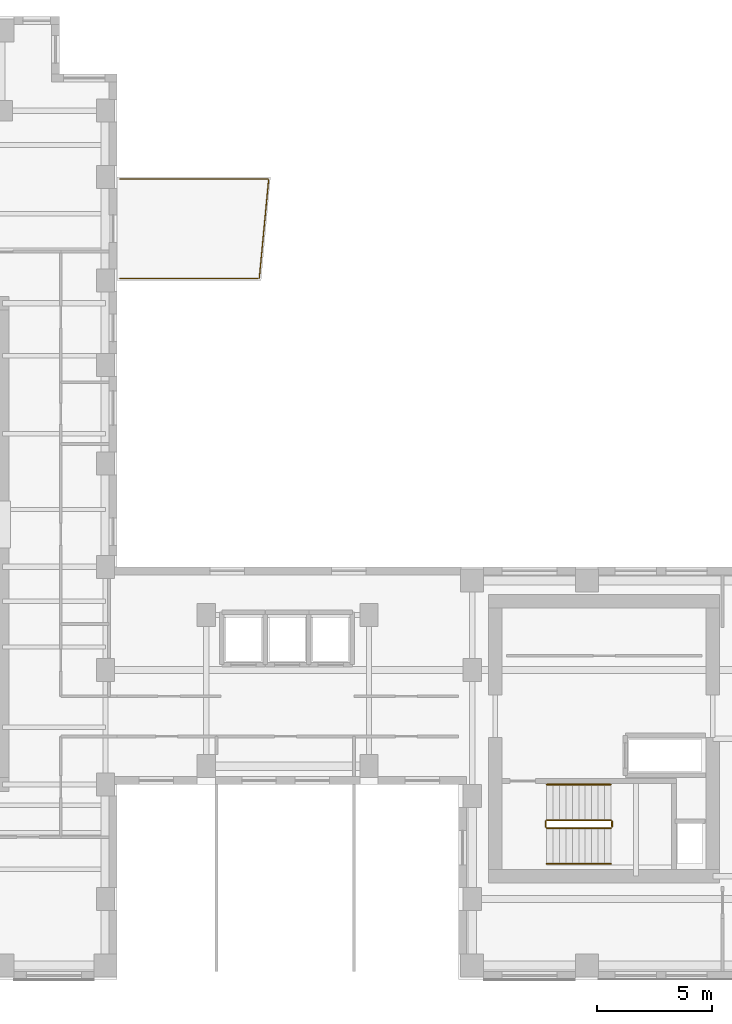
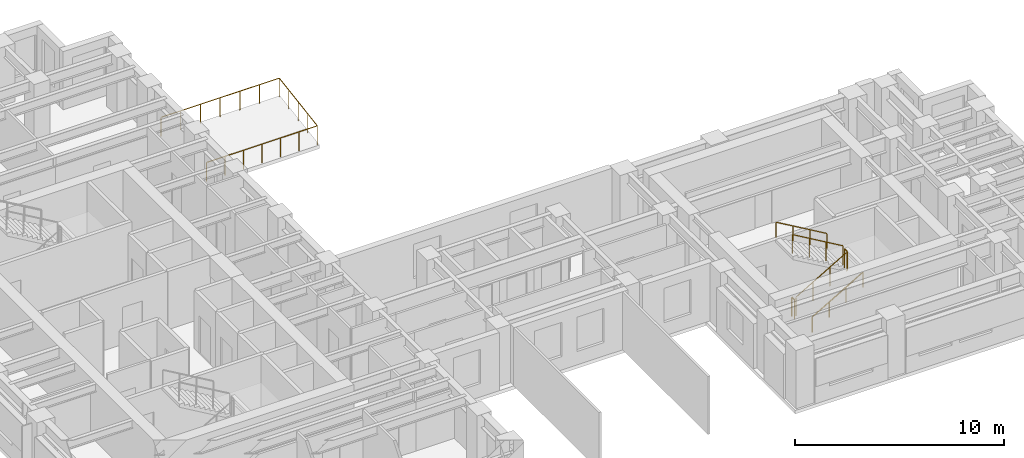
# One storey, part 11 of 11: 7 railings.
"""IFC4 building model written with IfcOpenShell, lengths in metres."""

from ifc_helpers import new_model, si_unit, direction, frame, origin, origin_2d, place, context, subcontext, project, spatial, circle, extrude, source, transform, mapped, material, layer, layer_set, type_object, element, save


model = new_model("IFC4")

# Units and contexts
model_context = context("Model", 3, precision=1e-05, world=origin(), true_north=direction((0.0, 1.0)))
body_context = subcontext(model_context, "Body", "Model", "MODEL_VIEW")
ifc_project = project(units=[si_unit("LENGTHUNIT", "METRE"), si_unit("AREAUNIT", "SQUARE_METRE"), si_unit("VOLUMEUNIT", "CUBIC_METRE"), si_unit("PLANEANGLEUNIT", "RADIAN"), si_unit("MASSUNIT", "GRAM", prefix="KILO")], contexts=[model_context])

# Site, building, storey
site_placement = place(None, origin())
site = spatial("IfcSite", under=ifc_project, at=site_placement, CompositionType="ELEMENT")
building_placement = place(site_placement, origin())
building = spatial("IfcBuilding", under=site, at=building_placement, Name="Kharzan Plaza Tower", CompositionType="ELEMENT")
storey_placement = place(building_placement, frame((0.0, 0.0, 200.699951171875)))
storey = spatial("IfcBuildingStorey", under=building, at=storey_placement, Name="L54", CompositionType="ELEMENT", Elevation=200.699951171875)

# Railings
ifc_material_1 = material(Name="Painted Galvanized Architectural Steel", Category="steel")
ifc_layer_1 = layer(ifc_material_1, 0.074951171875)
ifc_layer_set_1 = layer_set([ifc_layer_1], Name="Painted Galvanized Architectural Steel")
railing_type_1 = type_object("IfcRailingType", Name="RL-GUARD-1120", PredefinedType="BALUSTRADE", material=ifc_layer_set_1)
shared_shape_1 = source(origin(), body_context, "Body", "SweptSolid", [
    extrude(circle(Radius=0.02392578125, at=origin_2d()), frame((0.0, 0.0263671875, 1.09619140625), z_axis=(0.0, 1.0, 0.0), x_axis=(-1.0, 0.0, 0.0)), (0.0, 0.0, 1.0), 0.197021484375),
    extrude(circle(Radius=0.02099609375, at=origin_2d()), origin(), (0.0, 0.0, 1.0), 1.072021484375),
    extrude(circle(Radius=0.02099609375, at=origin_2d()), frame((0.0, 0.25, 0.0)), (0.0, 0.0, 1.0), 1.072021484375),
])
for number, where, name in (
    (1, (41.10009765625, 6.64990234375, 1.800048828125), "L54 ST-3 stair guard 2"),
    (2, (38.199951171875, 6.64990234375, 0.0), "L54 ST-3 stair guard 4"),
):
    element("IfcRailing", number, at=place(storey_placement, frame(where)), inside=storey, type_object=railing_type_1, Name=name, PredefinedType="BALUSTRADE", context=body_context, shape_type="MappedRepresentation", body=[
        mapped(shared_shape_1, transform((0.0, 0.0, 0.0), x_axis=(1.0, 0.0, 0.0), y_axis=(0.0, 1.0, 0.0), z_axis=(0.0, 0.0, 1.0))),
    ])
shared_shape_2 = source(origin(), body_context, "Body", "SweptSolid", [
    extrude(circle(Radius=0.02392578125, at=origin_2d()), frame((0.02294921875, 0.0, 1.109375), z_axis=(0.863360870873, 0.0, 0.504586966384), x_axis=(0.0, 1.0, 0.0)), (0.0, 0.0, 1.0), 3.190185546875),
    extrude(circle(Radius=0.02099609375, at=origin_2d()), origin(), (0.0, 0.0, 1.0), 1.072021484375),
    extrude(circle(Radius=0.02099609375, at=origin_2d()), frame((0.933349609375, 0.0, 0.54541015625)), (0.0, 0.0, 1.0), 1.072021484375),
    extrude(circle(Radius=0.02099609375, at=origin_2d()), frame((1.86669921875, 0.0, 1.091064453125)), (0.0, 0.0, 1.0), 1.072021484375),
    extrude(circle(Radius=0.02099609375, at=origin_2d()), frame((2.800048828125, 0.0, 1.636474609375)), (0.0, 0.0, 1.0), 1.072021484375),
])
railing_1_placement = place(storey_placement, frame((38.25, 6.60009765625, 0.16357421875)))
element("IfcRailing", 3, at=railing_1_placement, inside=storey, type_object=railing_type_1, Name="L54 ST-3 stair guard 1", PredefinedType="BALUSTRADE", context=body_context, shape_type="MappedRepresentation", body=[
    mapped(shared_shape_2, transform((0.0, 0.0, 0.0), x_axis=(1.0, 0.0, 0.0), y_axis=(0.0, 1.0, 0.0), z_axis=(0.0, 0.0, 1.0))),
])
shared_shape_3 = source(origin(), body_context, "Body", "SweptSolid", [
    extrude(circle(Radius=0.02392578125, at=origin_2d()), frame((-0.02294921875, 0.0, 1.109375), z_axis=(-0.863360870873, 0.0, 0.504586966384), x_axis=(0.0, -1.0, 0.0)), (0.0, 0.0, 1.0), 3.190185546875),
    extrude(circle(Radius=0.02099609375, at=origin_2d()), origin(), (0.0, 0.0, 1.0), 1.072021484375),
    extrude(circle(Radius=0.02099609375, at=origin_2d()), frame((-0.933349609375, 0.0, 0.54541015625)), (0.0, 0.0, 1.0), 1.072021484375),
    extrude(circle(Radius=0.02099609375, at=origin_2d()), frame((-1.86669921875, 0.0, 1.091064453125)), (0.0, 0.0, 1.0), 1.072021484375),
    extrude(circle(Radius=0.02099609375, at=origin_2d()), frame((-2.800048828125, 0.0, 1.636474609375)), (0.0, 0.0, 1.0), 1.072021484375),
])
railing_2_placement = place(storey_placement, frame((41.050048828125, 6.949951171875, 1.963623046875)))
element("IfcRailing", 4, at=railing_2_placement, inside=storey, type_object=railing_type_1, Name="L54 ST-3 stair guard 3", PredefinedType="BALUSTRADE", context=body_context, shape_type="MappedRepresentation", body=[
    mapped(shared_shape_3, transform((0.0, 0.0, 0.0), x_axis=(1.0, 0.0, 0.0), y_axis=(0.0, 1.0, 0.0), z_axis=(0.0, 0.0, 1.0))),
])
ifc_material_2 = material(Name="Brushed Stainless Steel", Category="steel")
ifc_layer_2 = layer(ifc_material_2, 0.050048828125)
ifc_layer_set_2 = layer_set([ifc_layer_2], Name="Brushed Stainless Steel")
railing_type_2 = type_object("IfcRailingType", Name="RL-STAIR-HR920", PredefinedType="HANDRAIL", material=ifc_layer_set_2)
shared_shape_4 = source(origin(), body_context, "Body", "SweptSolid", [
    extrude(circle(Radius=0.02392578125, at=origin_2d()), frame((0.02294921875, 0.0, 0.88916015625), z_axis=(0.863360870873, 0.0, 0.504586966384), x_axis=(0.0, 1.0, 0.0)), (0.0, 0.0, 1.0), 3.190185546875),
    extrude(circle(Radius=0.02099609375, at=origin_2d()), origin(), (0.0, 0.0, 1.0), 0.851806640625),
    extrude(circle(Radius=0.02099609375, at=origin_2d()), frame((0.933349609375, 0.0, 0.54541015625)), (0.0, 0.0, 1.0), 0.851806640625),
    extrude(circle(Radius=0.02099609375, at=origin_2d()), frame((1.86669921875, 0.0, 1.091064453125)), (0.0, 0.0, 1.0), 0.851806640625),
    extrude(circle(Radius=0.02099609375, at=origin_2d()), frame((2.800048828125, 0.0, 1.636474609375)), (0.0, 0.0, 1.0), 0.851806640625),
])
railing_3_placement = place(storey_placement, frame((38.25, 5.050048828125, 0.16357421875)))
element("IfcRailing", 5, at=railing_3_placement, inside=storey, type_object=railing_type_2, Name="L54 ST-3 stair handrail 1", PredefinedType="HANDRAIL", context=body_context, shape_type="MappedRepresentation", body=[
    mapped(shared_shape_4, transform((0.0, 0.0, 0.0), x_axis=(1.0, 0.0, 0.0), y_axis=(0.0, 1.0, 0.0), z_axis=(0.0, 0.0, 1.0))),
])
shared_shape_5 = source(origin(), body_context, "Body", "SweptSolid", [
    extrude(circle(Radius=0.02392578125, at=origin_2d()), frame((-0.02294921875, 0.0, 0.88916015625), z_axis=(-0.863360870873, 0.0, 0.504586966384), x_axis=(0.0, -1.0, 0.0)), (0.0, 0.0, 1.0), 3.190185546875),
    extrude(circle(Radius=0.02099609375, at=origin_2d()), origin(), (0.0, 0.0, 1.0), 0.851806640625),
    extrude(circle(Radius=0.02099609375, at=origin_2d()), frame((-0.933349609375, 0.0, 0.54541015625)), (0.0, 0.0, 1.0), 0.851806640625),
    extrude(circle(Radius=0.02099609375, at=origin_2d()), frame((-1.86669921875, 0.0, 1.091064453125)), (0.0, 0.0, 1.0), 0.851806640625),
    extrude(circle(Radius=0.02099609375, at=origin_2d()), frame((-2.800048828125, 0.0, 1.636474609375)), (0.0, 0.0, 1.0), 0.851806640625),
])
railing_4_placement = place(storey_placement, frame((41.050048828125, 8.5, 1.963623046875)))
element("IfcRailing", 6, at=railing_4_placement, inside=storey, type_object=railing_type_2, Name="L54 ST-3 stair handrail 2", PredefinedType="HANDRAIL", context=body_context, shape_type="MappedRepresentation", body=[
    mapped(shared_shape_5, transform((0.0, 0.0, 0.0), x_axis=(1.0, 0.0, 0.0), y_axis=(0.0, 1.0, 0.0), z_axis=(0.0, 0.0, 1.0))),
])
shared_shape_6 = source(origin(), body_context, "Body", "SweptSolid", [
    extrude(circle(Radius=0.02392578125, at=origin_2d()), frame((0.0263671875, 0.0, 1.09619140625), z_axis=(1.0, 0.0, 0.0), x_axis=(0.0, 1.0, 0.0)), (0.0, 0.0, 1.0), 6.056884765625),
    extrude(circle(Radius=0.02392578125, at=origin_2d()), frame((6.1123046875, 0.0263671875, 1.09619140625), z_axis=(0.094090176669, 0.995563678855, 0.0), x_axis=(-0.995563678855, 0.094090176669, 0.0)), (0.0, 0.0, 1.0), 4.306396484375),
    extrude(circle(Radius=0.02392578125, at=origin_2d()), frame((6.49365234375, 4.33984375, 1.09619140625), z_axis=(-1.0, 0.0, 0.0), x_axis=(0.0, -1.0, 0.0)), (0.0, 0.0, 1.0), 6.467041015625),
    extrude(circle(Radius=0.02099609375, at=origin_2d()), origin(), (0.0, 0.0, 1.0), 1.072021484375),
    extrude(circle(Radius=0.02099609375, at=origin_2d()), frame((1.018310546875, 0.0, 0.0)), (0.0, 0.0, 1.0), 1.072021484375),
    extrude(circle(Radius=0.02099609375, at=origin_2d()), frame((2.03662109375, 0.0, 0.0)), (0.0, 0.0, 1.0), 1.072021484375),
    extrude(circle(Radius=0.02099609375, at=origin_2d()), frame((3.054931640625, 0.0, 0.0)), (0.0, 0.0, 1.0), 1.072021484375),
    extrude(circle(Radius=0.02099609375, at=origin_2d()), frame((4.0732421875, 0.0, 0.0)), (0.0, 0.0, 1.0), 1.072021484375),
    extrude(circle(Radius=0.02099609375, at=origin_2d()), frame((5.091552734375, 0.0, 0.0)), (0.0, 0.0, 1.0), 1.072021484375),
    extrude(circle(Radius=0.02099609375, at=origin_2d()), frame((6.10986328125, 0.0, 0.0)), (0.0, 0.0, 1.0), 1.072021484375),
    extrude(circle(Radius=0.02099609375, at=origin_2d()), frame((6.21240234375, 1.0849609375, 0.0)), (0.0, 0.0, 1.0), 1.072021484375),
    extrude(circle(Radius=0.02099609375, at=origin_2d()), frame((6.31494140625, 2.169921875, 0.0)), (0.0, 0.0, 1.0), 1.072021484375),
    extrude(circle(Radius=0.02099609375, at=origin_2d()), frame((6.41748046875, 3.2548828125, 0.0)), (0.0, 0.0, 1.0), 1.072021484375),
    extrude(circle(Radius=0.02099609375, at=origin_2d()), frame((6.52001953125, 4.33984375, 0.0)), (0.0, 0.0, 1.0), 1.072021484375),
    extrude(circle(Radius=0.02099609375, at=origin_2d()), frame((5.433349609375, 4.33984375, 0.0)), (0.0, 0.0, 1.0), 1.072021484375),
    extrude(circle(Radius=0.02099609375, at=origin_2d()), frame((4.3466796875, 4.33984375, 0.0)), (0.0, 0.0, 1.0), 1.072021484375),
    extrude(circle(Radius=0.02099609375, at=origin_2d()), frame((3.260009765625, 4.33984375, 0.0)), (0.0, 0.0, 1.0), 1.072021484375),
    extrude(circle(Radius=0.02099609375, at=origin_2d()), frame((2.17333984375, 4.33984375, 0.0)), (0.0, 0.0, 1.0), 1.072021484375),
    extrude(circle(Radius=0.02099609375, at=origin_2d()), frame((1.086669921875, 4.33984375, 0.0)), (0.0, 0.0, 1.0), 1.072021484375),
    extrude(circle(Radius=0.02099609375, at=origin_2d()), frame((0.0, 4.33984375, 0.0)), (0.0, 0.0, 1.0), 1.072021484375),
])
railing_5_placement = place(storey_placement, frame((19.60009765625, 30.580078125, 0.0)))
element("IfcRailing", 7, at=railing_5_placement, inside=storey, type_object=railing_type_1, Name="L54 Cantilevered Sky-Terrace Tray Balustrade", PredefinedType="BALUSTRADE", context=body_context, shape_type="MappedRepresentation", body=[
    mapped(shared_shape_6, transform((0.0, 0.0, 0.0), x_axis=(1.0, 0.0, 0.0), y_axis=(0.0, 1.0, 0.0), z_axis=(0.0, 0.0, 1.0))),
])

save(model, "model.ifc")
